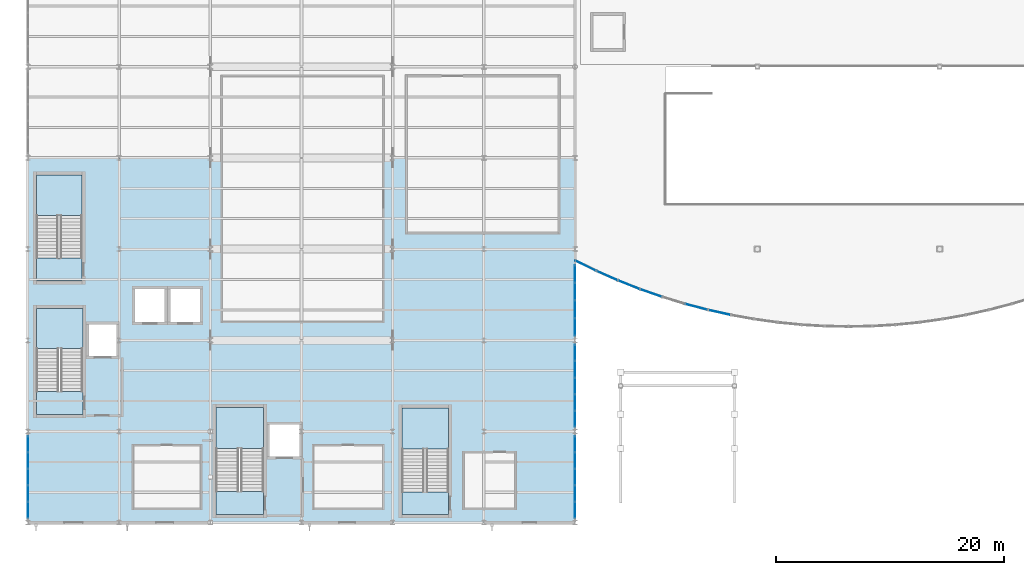
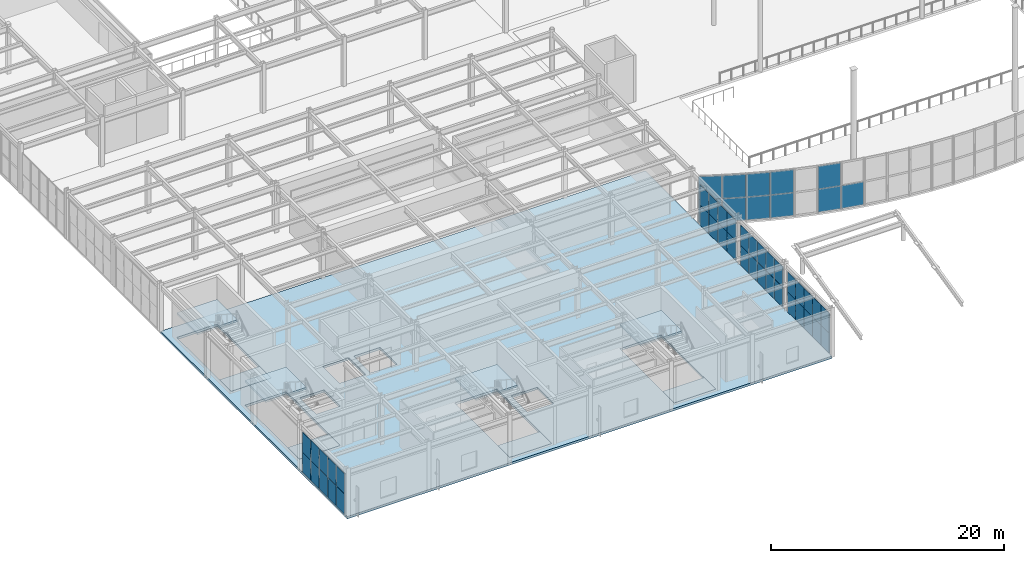
# One storey, part 46 of 77: 49 plates, 9 slabs, 14 elements without a shape of their own.
"""IFC4 building model written with IfcOpenShell, lengths in metres."""

import ifcopenshell
import ifcopenshell.guid

model = None  # the IFC model being written
_history = None  # IfcOwnerHistory: only IFC2X3 demands one
_inside = {}  # id of a spatial element -> (the spatial element, [elements in it])
_under = {}  # id of a project, library or spatial element -> (it, [spatial elements below it])
_declared = {}  # id of a project -> (the project, [libraries it declares])
_typed = {}  # id of a type object -> (the type object, [elements of that type])
_made_of = {}  # id of a material, layer set ... -> (it, [elements and type objects made of it])


def new_model(schema):
    """Start an empty IFC model of exactly this schema.

    Asked for "IFC4X3", IfcOpenShell would pick the latest addendum, in which some entities
    have other attributes; the version numbers below select the first issue.
    IFC2X3 requires an IfcOwnerHistory on every rooted entity: one is made here for all.
    """
    global model, _history
    if schema == "IFC4X3":
        model = ifcopenshell.file(schema_version=(4, 3, 0, 0))
    else:
        model = ifcopenshell.file(schema=schema)
    _inside.clear()
    _under.clear()
    _declared.clear()
    _typed.clear()
    _made_of.clear()
    _history = None
    if model.schema == "IFC2X3":
        org = make("IfcOrganization", Name="unknown")
        user = make(
            "IfcPersonAndOrganization",
            ThePerson=make("IfcPerson", FamilyName="unknown"),
            TheOrganization=org,
        )
        app = make(
            "IfcApplication",
            ApplicationDeveloper=org,
            Version="unknown",
            ApplicationFullName="unknown",
            ApplicationIdentifier="unknown",
        )
        _history = make(
            "IfcOwnerHistory",
            OwningUser=user,
            OwningApplication=app,
            ChangeAction="ADDED",
            CreationDate=0,
        )
    return model


def make(cls, **values):
    """One entity of the class cls with the attributes given. An attribute that is None is left unset."""
    return model.create_entity(
        cls, **{name: value for name, value in values.items() if value is not None}
    )


def rooted(cls, **values):
    """An entity with a GlobalId (a new one), such as an element, a storey or a relation."""
    return make(cls, GlobalId=ifcopenshell.guid.new(), OwnerHistory=_history, **values)


def si_unit(unit_type, name, prefix=None):
    """IfcSIUnit, for example si_unit("LENGTHUNIT", "METRE", prefix="MILLI")."""
    return make("IfcSIUnit", UnitType=unit_type, Prefix=prefix, Name=name)


def assignment(units):
    """IfcUnitAssignment: the units of a project."""
    return None if units is None else make("IfcUnitAssignment", Units=units)


def point(xyz):
    """IfcCartesianPoint."""
    return None if xyz is None else make("IfcCartesianPoint", Coordinates=xyz)


def direction(xyz):
    """IfcDirection."""
    return None if xyz is None else make("IfcDirection", DirectionRatios=xyz)


def frame(location, z_axis=None, x_axis=None):
    """IfcAxis2Placement3D, a coordinate frame: its origin and axes. An axis left out is left unset."""
    return make(
        "IfcAxis2Placement3D",
        Location=point(location),
        Axis=direction(z_axis),
        RefDirection=direction(x_axis),
    )


def frame_2d(location, x_axis=None):
    """IfcAxis2Placement2D, a coordinate frame in the plane: its origin and x axis."""
    return make(
        "IfcAxis2Placement2D", Location=point(location), RefDirection=direction(x_axis)
    )


def origin():
    """The frame at (0, 0, 0) with its axes left unset."""
    return frame((0.0, 0.0, 0.0))


def origin_2d():
    """The frame at (0, 0) in the plane with its x axis left unset."""
    return frame_2d((0.0, 0.0))


def place(relative_to, where):
    """IfcLocalPlacement: puts the frame where relative to a parent placement (None: the world)."""
    return make(
        "IfcLocalPlacement", PlacementRelTo=relative_to, RelativePlacement=where
    )


def context(
    kind, dimensions, precision=None, world=None, true_north=None, identifier=None
):
    """IfcGeometricRepresentationContext, for example the 3D "Model" context."""
    return make(
        "IfcGeometricRepresentationContext",
        ContextIdentifier=identifier,
        ContextType=kind,
        CoordinateSpaceDimension=dimensions,
        Precision=precision,
        WorldCoordinateSystem=world,
        TrueNorth=true_north,
    )


def subcontext(parent, identifier, kind, view, scale=None):
    """IfcGeometricRepresentationSubContext, for example "Body" below "Model"."""
    return make(
        "IfcGeometricRepresentationSubContext",
        ContextIdentifier=identifier,
        ContextType=kind,
        ParentContext=parent,
        TargetScale=scale,
        TargetView=view,
    )


def project(units=None, contexts=None):
    """IfcProject with its units and contexts."""
    return rooted(
        "IfcProject",
        Name="project",
        RepresentationContexts=contexts,
        UnitsInContext=assignment(units),
    )


def spatial(cls, under=None, at=None, **own):
    """A site, building, storey or space (cls), placed at a placement, below another one or the project."""
    s = rooted(cls, ObjectPlacement=at, **own)
    if under is not None:
        _under.setdefault(under.id(), (under, []))[1].append(s)
    return s


def polyline(points):
    """IfcPolyline through the points."""
    return make("IfcPolyline", Points=[point(p) for p in points])


def profile(cls, at=None, kind="AREA", **sizes):
    """A parametric profile (cls). Its sizes go by their IFC names, for example OverallWidth=200.0."""
    return make(cls, ProfileType=kind, Position=at, **sizes)


def rectangle(**sizes):
    """IfcRectangleProfileDef."""
    return profile("IfcRectangleProfileDef", **sizes)


def outline(outer, holes=None, kind="AREA"):
    """IfcArbitraryClosedProfileDef: a profile drawn as a closed curve; with holes, ...WithVoids."""
    if holes is None:
        return make("IfcArbitraryClosedProfileDef", ProfileType=kind, OuterCurve=outer)
    return make(
        "IfcArbitraryProfileDefWithVoids",
        ProfileType=kind,
        OuterCurve=outer,
        InnerCurves=holes,
    )


def extrude(swept, where, along, depth):
    """IfcExtrudedAreaSolid: the profile swept, set in the frame where, extruded along a direction by depth."""
    return make(
        "IfcExtrudedAreaSolid",
        SweptArea=swept,
        Position=where,
        ExtrudedDirection=direction(along),
        Depth=depth,
    )


def shape(context_of_items, identifier, shape_type, items):
    """IfcShapeRepresentation: the items that make up one representation, for example the "Body"."""
    return make(
        "IfcShapeRepresentation",
        ContextOfItems=context_of_items,
        RepresentationIdentifier=identifier,
        RepresentationType=shape_type,
        Items=items,
    )


def material(Name=None, Category=None):
    """IfcMaterial."""
    return make("IfcMaterial", Name=Name, Category=Category)


def layer(
    of_material, thickness, ventilated=None, Name=None, Category=None, Priority=None
):
    """IfcMaterialLayer: one layer of a wall or slab, of a material (None: an air gap)."""
    return make(
        "IfcMaterialLayer",
        Material=of_material,
        LayerThickness=thickness,
        IsVentilated=ventilated,
        Name=Name,
        Category=Category,
        Priority=Priority,
    )


def layer_set(layers, Name=None):
    """IfcMaterialLayerSet."""
    return make("IfcMaterialLayerSet", MaterialLayers=layers, LayerSetName=Name)


def made_of(thing, what):
    """Note that an element or type object is made of a material, layer set ...; save() writes the relation."""
    if what is not None:
        _made_of.setdefault(what.id(), (what, []))[1].append(thing)
    return thing


def type_object(cls, material=None, **own):
    """A type object (cls), such as IfcWallType, which elements share."""
    return made_of(rooted(cls, **own), material)


def element(
    cls,
    number,
    at=None,
    inside=None,
    cuts=None,
    type_object=None,
    material=None,
    context=None,
    identifier="Body",
    shape_type=None,
    held_by="IfcProductDefinitionShape",
    body=None,
    shapes=None,
    **own,
):
    """One element of the class cls, such as IfcWall. Its Tag is "e" and its number.

    at: its placement. inside: the storey or other place that contains it. cuts: it is an
    opening in that element (IfcRelVoidsElement). A single representation is given by context,
    identifier, shape_type and body (its items); several are given by shapes. held_by: the class
    of the entity that holds the representations. save() writes the other relations.
    """
    e = rooted(cls, Tag="e%d" % number, ObjectPlacement=at, **own)
    if body is not None:
        shapes = [shape(context, identifier, shape_type, body)]
    if shapes is not None:
        e.Representation = make(held_by, Representations=shapes)
    if inside is not None:
        _inside.setdefault(inside.id(), (inside, []))[1].append(e)
    if cuts is not None:
        rooted(
            "IfcRelVoidsElement", RelatingBuildingElement=cuts, RelatedOpeningElement=e
        )
    if type_object is not None:
        _typed.setdefault(type_object.id(), (type_object, []))[1].append(e)
    return made_of(e, material)


def aggregate(whole, parts):
    """IfcRelAggregates: a whole, such as a stair, and the parts it consists of."""
    return rooted("IfcRelAggregates", RelatingObject=whole, RelatedObjects=parts)


def save(model, path):
    """Write the relations noted so far, then the file.

    IfcRelAggregates (storeys below a building ...), IfcRelContainedInSpatialStructure (elements
    in a storey), IfcRelDefinesByType, IfcRelAssociatesMaterial and IfcRelDeclares: one each for
    every whole, place, type object, material and project.
    """
    for whole, parts in _under.values():
        aggregate(whole, parts)
    for where, things in _inside.values():
        rooted(
            "IfcRelContainedInSpatialStructure",
            RelatedElements=things,
            RelatingStructure=where,
        )
    for kind, things in _typed.values():
        rooted("IfcRelDefinesByType", RelatedObjects=things, RelatingType=kind)
    for what, things in _made_of.values():
        rooted("IfcRelAssociatesMaterial", RelatedObjects=things, RelatingMaterial=what)
    for by, libraries in _declared.values():
        rooted("IfcRelDeclares", RelatingContext=by, RelatedDefinitions=libraries)
    model.write(path)


model = new_model("IFC4")

# Units and contexts
model_context = context("Model", 3, precision=1e-05, world=origin(), true_north=direction((0.0, 1.0)))
body_context = subcontext(model_context, "Body", "Model", "MODEL_VIEW")
ifc_project = project(units=[si_unit("LENGTHUNIT", "METRE"), si_unit("AREAUNIT", "SQUARE_METRE"), si_unit("VOLUMEUNIT", "CUBIC_METRE"), si_unit("PLANEANGLEUNIT", "RADIAN"), si_unit("MASSUNIT", "GRAM", prefix="KILO")], contexts=[model_context])

# Site, building, storey
site_placement = place(None, origin())
site = spatial("IfcSite", under=ifc_project, at=site_placement, CompositionType="ELEMENT")
building_placement = place(site_placement, origin())
building = spatial("IfcBuilding", under=site, at=building_placement, Name="Drelvath Fold Interchange", CompositionType="ELEMENT")
storey_placement = place(building_placement, frame((0.0, 0.0, 6.0)))
storey = spatial("IfcBuildingStorey", under=building, at=storey_placement, Name="L01", CompositionType="ELEMENT", Elevation=6.0)

# Curtain wall, plates
ifc_material_1 = material(Name="Anodized Aluminium 6063-T6", Category="aluminium")
curtain_wall_type_1 = type_object("IfcCurtainWallType", Name="CW-ARC-L01", PredefinedType="USERDEFINED", material=ifc_material_1)
curtain_wall_1_placement = place(storey_placement, origin())
curtain_wall_1 = element("IfcCurtainWall", 1, at=curtain_wall_1_placement, inside=storey, type_object=curtain_wall_type_1, Name="Curtain wall CW-WH-L01-00", ObjectType="UNITISED CURTAIN WALL", PredefinedType="USERDEFINED")
ifc_material_2 = material(Name="Low-Iron Insulated Laminated Glass", Category="glass")
ifc_layer_1 = layer(ifc_material_2, 0.035888671875, Name="Low-Iron Insulated Laminated Glass")
ifc_layer_set_1 = layer_set([ifc_layer_1], Name="Low-Iron Insulated Laminated Glass")
plate_type_1 = type_object("IfcPlateType", Name="CP-ARC-A", PredefinedType="CURTAIN_PANEL", material=ifc_layer_set_1)
plate_1_placement = place(storey_placement, frame((52.93310546875, 25.5439453125, 0.0400390625), z_axis=(0.0, 0.0, 1.0), x_axis=(0.898242463355, -0.439500258277, 0.0)))
plate_1 = element("IfcPlate", 2, at=plate_1_placement, type_object=plate_type_1, Name="CW-WH-L01-00 glazed panel 0-0", PredefinedType="CURTAIN_PANEL", context=body_context, shape_type="SweptSolid", body=[
    extrude(rectangle(XDim=1.97705078125, YDim=0.035888671875, at=origin_2d()), origin(), (0.0, 0.0, 1.0), 2.39990234375),
])
plate_2_placement = place(storey_placement, frame((52.93310546875, 25.5439453125, 2.4599609375), z_axis=(0.0, 0.0, 1.0), x_axis=(0.898242463355, -0.439500258277, 0.0)))
plate_2 = element("IfcPlate", 3, at=plate_2_placement, type_object=plate_type_1, Name="CW-WH-L01-00 glazed panel 0-1", PredefinedType="CURTAIN_PANEL", context=body_context, shape_type="SweptSolid", body=[
    extrude(rectangle(XDim=1.97705078125, YDim=0.035888671875, at=origin_2d()), origin(), (0.0, 0.0, 1.0), 2.39990234375),
])
aggregate(curtain_wall_1, [plate_1, plate_2])

curtain_wall_2_placement = place(storey_placement, origin())
curtain_wall_2 = element("IfcCurtainWall", 4, at=curtain_wall_2_placement, inside=storey, type_object=curtain_wall_type_1, Name="Curtain wall CW-WH-L01-01", ObjectType="UNITISED CURTAIN WALL", PredefinedType="USERDEFINED")
plate_3_placement = place(storey_placement, frame((54.81591796875, 24.66796875, 0.0400390625), z_axis=(0.0, 0.0, 1.0), x_axis=(0.91495966785, -0.403545296352, 0.0)))
plate_3 = element("IfcPlate", 5, at=plate_3_placement, type_object=plate_type_1, Name="CW-WH-L01-01 glazed panel 0-0", PredefinedType="CURTAIN_PANEL", context=body_context, shape_type="SweptSolid", body=[
    extrude(rectangle(XDim=1.97705078125, YDim=0.035888671875, at=origin_2d()), origin(), (0.0, 0.0, 1.0), 2.39990234375),
])
plate_4_placement = place(storey_placement, frame((54.81591796875, 24.66796875, 2.4599609375), z_axis=(0.0, 0.0, 1.0), x_axis=(0.91495966785, -0.403545296352, 0.0)))
plate_4 = element("IfcPlate", 6, at=plate_4_placement, type_object=plate_type_1, Name="CW-WH-L01-01 glazed panel 0-1", PredefinedType="CURTAIN_PANEL", context=body_context, shape_type="SweptSolid", body=[
    extrude(rectangle(XDim=1.97705078125, YDim=0.035888671875, at=origin_2d()), origin(), (0.0, 0.0, 1.0), 2.39990234375),
])
aggregate(curtain_wall_2, [plate_3, plate_4])

curtain_wall_3_placement = place(storey_placement, origin())
curtain_wall_3 = element("IfcCurtainWall", 7, at=curtain_wall_3_placement, inside=storey, type_object=curtain_wall_type_1, Name="Curtain wall CW-WH-L01-02", ObjectType="UNITISED CURTAIN WALL", PredefinedType="USERDEFINED")
plate_5_placement = place(storey_placement, frame((56.73193359375, 23.866943359375, 0.0400390625), z_axis=(0.0, 0.0, 1.0), x_axis=(0.93009738109, -0.367313029567, 0.0)))
plate_5 = element("IfcPlate", 8, at=plate_5_placement, type_object=plate_type_1, Name="CW-WH-L01-02 glazed panel 0-0", PredefinedType="CURTAIN_PANEL", context=body_context, shape_type="SweptSolid", body=[
    extrude(rectangle(XDim=1.97705078125, YDim=0.035888671875, at=origin_2d()), origin(), (0.0, 0.0, 1.0), 2.39990234375),
])
plate_6_placement = place(storey_placement, frame((56.73193359375, 23.866943359375, 2.4599609375), z_axis=(0.0, 0.0, 1.0), x_axis=(0.93009738109, -0.367313029567, 0.0)))
plate_6 = element("IfcPlate", 9, at=plate_6_placement, type_object=plate_type_1, Name="CW-WH-L01-02 glazed panel 0-1", PredefinedType="CURTAIN_PANEL", context=body_context, shape_type="SweptSolid", body=[
    extrude(rectangle(XDim=1.97705078125, YDim=0.035888671875, at=origin_2d()), origin(), (0.0, 0.0, 1.0), 2.39990234375),
])
aggregate(curtain_wall_3, [plate_5, plate_6])

curtain_wall_4_placement = place(storey_placement, origin())
curtain_wall_4 = element("IfcCurtainWall", 10, at=curtain_wall_4_placement, inside=storey, type_object=curtain_wall_type_1, Name="Curtain wall CW-WH-L01-03", ObjectType="UNITISED CURTAIN WALL", PredefinedType="USERDEFINED")
plate_7_placement = place(storey_placement, frame((58.677978515625, 23.14306640625, 0.0400390625), z_axis=(0.0, 0.0, 1.0), x_axis=(0.944060245862, -0.329773031317, 0.0)))
plate_7 = element("IfcPlate", 11, at=plate_7_placement, type_object=plate_type_1, Name="CW-WH-L01-03 glazed panel 0-0", PredefinedType="CURTAIN_PANEL", context=body_context, shape_type="SweptSolid", body=[
    extrude(rectangle(XDim=1.97705078125, YDim=0.035888671875, at=origin_2d()), origin(), (0.0, 0.0, 1.0), 2.39990234375),
])
plate_8_placement = place(storey_placement, frame((58.677978515625, 23.14306640625, 2.4599609375), z_axis=(0.0, 0.0, 1.0), x_axis=(0.944060245862, -0.329773031317, 0.0)))
plate_8 = element("IfcPlate", 12, at=plate_8_placement, type_object=plate_type_1, Name="CW-WH-L01-03 glazed panel 0-1", PredefinedType="CURTAIN_PANEL", context=body_context, shape_type="SweptSolid", body=[
    extrude(rectangle(XDim=1.97705078125, YDim=0.035888671875, at=origin_2d()), origin(), (0.0, 0.0, 1.0), 2.39990234375),
])
aggregate(curtain_wall_4, [plate_7, plate_8])

curtain_wall_5_placement = place(storey_placement, origin())
curtain_wall_5 = element("IfcCurtainWall", 13, at=curtain_wall_5_placement, inside=storey, type_object=curtain_wall_type_1, Name="Curtain wall CW-WH-L01-05", ObjectType="UNITISED CURTAIN WALL", PredefinedType="USERDEFINED")
plate_9_placement = place(storey_placement, frame((62.64990234375, 21.928955078125, 0.0400390625), z_axis=(0.0, 0.0, 1.0), x_axis=(0.96703705104, -0.254635704322, 0.0)))
plate_9 = element("IfcPlate", 14, at=plate_9_placement, type_object=plate_type_1, Name="CW-WH-L01-05 glazed panel 0-0", PredefinedType="CURTAIN_PANEL", context=body_context, shape_type="SweptSolid", body=[
    extrude(rectangle(XDim=1.97705078125, YDim=0.035888671875, at=origin_2d()), origin(), (0.0, 0.0, 1.0), 2.39990234375),
])
plate_10_placement = place(storey_placement, frame((62.64990234375, 21.928955078125, 2.4599609375), z_axis=(0.0, 0.0, 1.0), x_axis=(0.96703705104, -0.254635704322, 0.0)))
plate_10 = element("IfcPlate", 15, at=plate_10_placement, type_object=plate_type_1, Name="CW-WH-L01-05 glazed panel 0-1", PredefinedType="CURTAIN_PANEL", context=body_context, shape_type="SweptSolid", body=[
    extrude(rectangle(XDim=1.97705078125, YDim=0.035888671875, at=origin_2d()), origin(), (0.0, 0.0, 1.0), 2.39990234375),
])
aggregate(curtain_wall_5, [plate_9, plate_10])

# Curtain wall, plate
curtain_wall_6_placement = place(storey_placement, origin())
curtain_wall_6 = element("IfcCurtainWall", 16, at=curtain_wall_6_placement, inside=storey, type_object=curtain_wall_type_1, Name="Curtain wall CW-WH-L01-06", ObjectType="UNITISED CURTAIN WALL", PredefinedType="USERDEFINED")
plate_11_placement = place(storey_placement, frame((64.66796875, 21.44091796875, 0.0400390625), z_axis=(0.0, 0.0, 1.0), x_axis=(0.976458168269, -0.215706851122, 0.0)))
plate_11 = element("IfcPlate", 17, at=plate_11_placement, type_object=plate_type_1, Name="CW-WH-L01-06 glazed panel 0-0", PredefinedType="CURTAIN_PANEL", context=body_context, shape_type="SweptSolid", body=[
    extrude(rectangle(XDim=1.97705078125, YDim=0.035888671875, at=origin_2d()), origin(), (0.0, 0.0, 1.0), 2.39990234375),
])
aggregate(curtain_wall_6, [plate_11])

# Curtain wall, plates
curtain_wall_type_2 = type_object("IfcCurtainWallType", Name="CW-OPS-UPP", PredefinedType="USERDEFINED", material=ifc_material_1)
curtain_wall_7_placement = place(storey_placement, origin())
curtain_wall_7 = element("IfcCurtainWall", 18, at=curtain_wall_7_placement, inside=storey, type_object=curtain_wall_type_2, Name="Curtain wall CW-V5-L01-W3", ObjectType="UNITISED CURTAIN WALL", PredefinedType="USERDEFINED")
ifc_layer_2 = layer(ifc_material_2, 0.068115234375, Name="Low-Iron Insulated Laminated Glass")
ifc_layer_set_2 = layer_set([ifc_layer_2], Name="Low-Iron Insulated Laminated Glass")
plate_type_2 = type_object("IfcPlateType", Name="CP-OPS-A", PredefinedType="CURTAIN_PANEL", material=ifc_layer_set_2)
plate_12_placement = place(storey_placement, frame((4.0, 4.10791015625, 0.0400390625), z_axis=(0.0, 0.0, 1.0), x_axis=(0.0, 1.0, 0.0)))
plate_12 = element("IfcPlate", 19, at=plate_12_placement, type_object=plate_type_2, Name="CW-V5-L01-W3 glazed panel 0-0", PredefinedType="CURTAIN_PANEL", context=body_context, shape_type="SweptSolid", body=[
    extrude(rectangle(XDim=1.39599609375, YDim=0.068115234375, at=origin_2d()), origin(), (0.0, 0.0, 1.0), 2.10009765625),
])
plate_13_placement = place(storey_placement, frame((4.0, 4.10791015625, 2.159912109375), z_axis=(0.0, 0.0, 1.0), x_axis=(0.0, 1.0, 0.0)))
plate_13 = element("IfcPlate", 20, at=plate_13_placement, type_object=plate_type_2, Name="CW-V5-L01-W3 glazed panel 0-1", PredefinedType="CURTAIN_PANEL", context=body_context, shape_type="SweptSolid", body=[
    extrude(rectangle(XDim=1.39599609375, YDim=0.068115234375, at=origin_2d()), origin(), (0.0, 0.0, 1.0), 2.10009765625),
])
plate_14_placement = place(storey_placement, frame((4.0, 5.5439453125, 0.0400390625), z_axis=(0.0, 0.0, 1.0), x_axis=(0.0, 1.0, 0.0)))
plate_14 = element("IfcPlate", 21, at=plate_14_placement, type_object=plate_type_2, Name="CW-V5-L01-W3 glazed panel 1-0", PredefinedType="CURTAIN_PANEL", context=body_context, shape_type="SweptSolid", body=[
    extrude(rectangle(XDim=1.43603515625, YDim=0.068115234375, at=origin_2d()), origin(), (0.0, 0.0, 1.0), 2.10009765625),
])
plate_15_placement = place(storey_placement, frame((4.0, 5.5439453125, 2.159912109375), z_axis=(0.0, 0.0, 1.0), x_axis=(0.0, 1.0, 0.0)))
plate_15 = element("IfcPlate", 22, at=plate_15_placement, type_object=plate_type_2, Name="CW-V5-L01-W3 glazed panel 1-1", PredefinedType="CURTAIN_PANEL", context=body_context, shape_type="SweptSolid", body=[
    extrude(rectangle(XDim=1.43603515625, YDim=0.068115234375, at=origin_2d()), origin(), (0.0, 0.0, 1.0), 2.10009765625),
])
plate_16_placement = place(storey_placement, frame((4.0, 7.0, 0.0400390625), z_axis=(0.0, 0.0, 1.0), x_axis=(0.0, 1.0, 0.0)))
plate_16 = element("IfcPlate", 23, at=plate_16_placement, type_object=plate_type_2, Name="CW-V5-L01-W3 glazed panel 2-0", PredefinedType="CURTAIN_PANEL", context=body_context, shape_type="SweptSolid", body=[
    extrude(rectangle(XDim=1.43603515625, YDim=0.068115234375, at=origin_2d()), origin(), (0.0, 0.0, 1.0), 2.10009765625),
])
plate_17_placement = place(storey_placement, frame((4.0, 7.0, 2.159912109375), z_axis=(0.0, 0.0, 1.0), x_axis=(0.0, 1.0, 0.0)))
plate_17 = element("IfcPlate", 24, at=plate_17_placement, type_object=plate_type_2, Name="CW-V5-L01-W3 glazed panel 2-1", PredefinedType="CURTAIN_PANEL", context=body_context, shape_type="SweptSolid", body=[
    extrude(rectangle(XDim=1.43603515625, YDim=0.068115234375, at=origin_2d()), origin(), (0.0, 0.0, 1.0), 2.10009765625),
])
plate_18_placement = place(storey_placement, frame((4.0, 8.4560546875, 0.0400390625), z_axis=(0.0, 0.0, 1.0), x_axis=(0.0, 1.0, 0.0)))
plate_18 = element("IfcPlate", 25, at=plate_18_placement, type_object=plate_type_2, Name="CW-V5-L01-W3 glazed panel 3-0", PredefinedType="CURTAIN_PANEL", context=body_context, shape_type="SweptSolid", body=[
    extrude(rectangle(XDim=1.43603515625, YDim=0.068115234375, at=origin_2d()), origin(), (0.0, 0.0, 1.0), 2.10009765625),
])
plate_19_placement = place(storey_placement, frame((4.0, 8.4560546875, 2.159912109375), z_axis=(0.0, 0.0, 1.0), x_axis=(0.0, 1.0, 0.0)))
plate_19 = element("IfcPlate", 26, at=plate_19_placement, type_object=plate_type_2, Name="CW-V5-L01-W3 glazed panel 3-1", PredefinedType="CURTAIN_PANEL", context=body_context, shape_type="SweptSolid", body=[
    extrude(rectangle(XDim=1.43603515625, YDim=0.068115234375, at=origin_2d()), origin(), (0.0, 0.0, 1.0), 2.10009765625),
])
plate_20_placement = place(storey_placement, frame((4.0, 9.89208984375, 0.0400390625), z_axis=(0.0, 0.0, 1.0), x_axis=(0.0, 1.0, 0.0)))
plate_20 = element("IfcPlate", 27, at=plate_20_placement, type_object=plate_type_2, Name="CW-V5-L01-W3 glazed panel 4-0", PredefinedType="CURTAIN_PANEL", context=body_context, shape_type="SweptSolid", body=[
    extrude(rectangle(XDim=1.39599609375, YDim=0.068115234375, at=origin_2d()), origin(), (0.0, 0.0, 1.0), 2.10009765625),
])
plate_21_placement = place(storey_placement, frame((4.0, 9.89208984375, 2.159912109375), z_axis=(0.0, 0.0, 1.0), x_axis=(0.0, 1.0, 0.0)))
plate_21 = element("IfcPlate", 28, at=plate_21_placement, type_object=plate_type_2, Name="CW-V5-L01-W3 glazed panel 4-1", PredefinedType="CURTAIN_PANEL", context=body_context, shape_type="SweptSolid", body=[
    extrude(rectangle(XDim=1.39599609375, YDim=0.068115234375, at=origin_2d()), origin(), (0.0, 0.0, 1.0), 2.10009765625),
])
aggregate(curtain_wall_7, [plate_12, plate_13, plate_14, plate_15, plate_16, plate_17, plate_18, plate_19, plate_20, plate_21])

curtain_wall_8_placement = place(storey_placement, origin())
curtain_wall_8 = element("IfcCurtainWall", 29, at=curtain_wall_8_placement, inside=storey, type_object=curtain_wall_type_2, Name="Curtain wall CW-V5-L01-E3", ObjectType="UNITISED CURTAIN WALL", PredefinedType="USERDEFINED")
plate_22_placement = place(storey_placement, frame((52.0, 4.10791015625, 0.0400390625), z_axis=(0.0, 0.0, 1.0), x_axis=(0.0, 1.0, 0.0)))
plate_22 = element("IfcPlate", 30, at=plate_22_placement, type_object=plate_type_2, Name="CW-V5-L01-E3 glazed panel 0-0", PredefinedType="CURTAIN_PANEL", context=body_context, shape_type="SweptSolid", body=[
    extrude(rectangle(XDim=1.39599609375, YDim=0.068115234375, at=origin_2d()), origin(), (0.0, 0.0, 1.0), 2.10009765625),
])
plate_23_placement = place(storey_placement, frame((52.0, 4.10791015625, 2.159912109375), z_axis=(0.0, 0.0, 1.0), x_axis=(0.0, 1.0, 0.0)))
plate_23 = element("IfcPlate", 31, at=plate_23_placement, type_object=plate_type_2, Name="CW-V5-L01-E3 glazed panel 0-1", PredefinedType="CURTAIN_PANEL", context=body_context, shape_type="SweptSolid", body=[
    extrude(rectangle(XDim=1.39599609375, YDim=0.068115234375, at=origin_2d()), origin(), (0.0, 0.0, 1.0), 2.10009765625),
])
plate_24_placement = place(storey_placement, frame((52.0, 5.5439453125, 0.0400390625), z_axis=(0.0, 0.0, 1.0), x_axis=(0.0, 1.0, 0.0)))
plate_24 = element("IfcPlate", 32, at=plate_24_placement, type_object=plate_type_2, Name="CW-V5-L01-E3 glazed panel 1-0", PredefinedType="CURTAIN_PANEL", context=body_context, shape_type="SweptSolid", body=[
    extrude(rectangle(XDim=1.43603515625, YDim=0.068115234375, at=origin_2d()), origin(), (0.0, 0.0, 1.0), 2.10009765625),
])
plate_25_placement = place(storey_placement, frame((52.0, 5.5439453125, 2.159912109375), z_axis=(0.0, 0.0, 1.0), x_axis=(0.0, 1.0, 0.0)))
plate_25 = element("IfcPlate", 33, at=plate_25_placement, type_object=plate_type_2, Name="CW-V5-L01-E3 glazed panel 1-1", PredefinedType="CURTAIN_PANEL", context=body_context, shape_type="SweptSolid", body=[
    extrude(rectangle(XDim=1.43603515625, YDim=0.068115234375, at=origin_2d()), origin(), (0.0, 0.0, 1.0), 2.10009765625),
])
plate_26_placement = place(storey_placement, frame((52.0, 7.0, 0.0400390625), z_axis=(0.0, 0.0, 1.0), x_axis=(0.0, 1.0, 0.0)))
plate_26 = element("IfcPlate", 34, at=plate_26_placement, type_object=plate_type_2, Name="CW-V5-L01-E3 glazed panel 2-0", PredefinedType="CURTAIN_PANEL", context=body_context, shape_type="SweptSolid", body=[
    extrude(rectangle(XDim=1.43603515625, YDim=0.068115234375, at=origin_2d()), origin(), (0.0, 0.0, 1.0), 2.10009765625),
])
plate_27_placement = place(storey_placement, frame((52.0, 7.0, 2.159912109375), z_axis=(0.0, 0.0, 1.0), x_axis=(0.0, 1.0, 0.0)))
plate_27 = element("IfcPlate", 35, at=plate_27_placement, type_object=plate_type_2, Name="CW-V5-L01-E3 glazed panel 2-1", PredefinedType="CURTAIN_PANEL", context=body_context, shape_type="SweptSolid", body=[
    extrude(rectangle(XDim=1.43603515625, YDim=0.068115234375, at=origin_2d()), origin(), (0.0, 0.0, 1.0), 2.10009765625),
])
plate_28_placement = place(storey_placement, frame((52.0, 8.4560546875, 0.0400390625), z_axis=(0.0, 0.0, 1.0), x_axis=(0.0, 1.0, 0.0)))
plate_28 = element("IfcPlate", 36, at=plate_28_placement, type_object=plate_type_2, Name="CW-V5-L01-E3 glazed panel 3-0", PredefinedType="CURTAIN_PANEL", context=body_context, shape_type="SweptSolid", body=[
    extrude(rectangle(XDim=1.43603515625, YDim=0.068115234375, at=origin_2d()), origin(), (0.0, 0.0, 1.0), 2.10009765625),
])
plate_29_placement = place(storey_placement, frame((52.0, 8.4560546875, 2.159912109375), z_axis=(0.0, 0.0, 1.0), x_axis=(0.0, 1.0, 0.0)))
plate_29 = element("IfcPlate", 37, at=plate_29_placement, type_object=plate_type_2, Name="CW-V5-L01-E3 glazed panel 3-1", PredefinedType="CURTAIN_PANEL", context=body_context, shape_type="SweptSolid", body=[
    extrude(rectangle(XDim=1.43603515625, YDim=0.068115234375, at=origin_2d()), origin(), (0.0, 0.0, 1.0), 2.10009765625),
])
plate_30_placement = place(storey_placement, frame((52.0, 9.89208984375, 0.0400390625), z_axis=(0.0, 0.0, 1.0), x_axis=(0.0, 1.0, 0.0)))
plate_30 = element("IfcPlate", 38, at=plate_30_placement, type_object=plate_type_2, Name="CW-V5-L01-E3 glazed panel 4-0", PredefinedType="CURTAIN_PANEL", context=body_context, shape_type="SweptSolid", body=[
    extrude(rectangle(XDim=1.39599609375, YDim=0.068115234375, at=origin_2d()), origin(), (0.0, 0.0, 1.0), 2.10009765625),
])
plate_31_placement = place(storey_placement, frame((52.0, 9.89208984375, 2.159912109375), z_axis=(0.0, 0.0, 1.0), x_axis=(0.0, 1.0, 0.0)))
plate_31 = element("IfcPlate", 39, at=plate_31_placement, type_object=plate_type_2, Name="CW-V5-L01-E3 glazed panel 4-1", PredefinedType="CURTAIN_PANEL", context=body_context, shape_type="SweptSolid", body=[
    extrude(rectangle(XDim=1.39599609375, YDim=0.068115234375, at=origin_2d()), origin(), (0.0, 0.0, 1.0), 2.10009765625),
])
aggregate(curtain_wall_8, [plate_22, plate_23, plate_24, plate_25, plate_26, plate_27, plate_28, plate_29, plate_30, plate_31])

curtain_wall_9_placement = place(storey_placement, origin())
curtain_wall_9 = element("IfcCurtainWall", 40, at=curtain_wall_9_placement, inside=storey, type_object=curtain_wall_type_2, Name="Curtain wall CW-V5-L01-E11", ObjectType="UNITISED CURTAIN WALL", PredefinedType="USERDEFINED")
plate_32_placement = place(storey_placement, frame((52.0, 12.10791015625, 0.0400390625), z_axis=(0.0, 0.0, 1.0), x_axis=(0.0, 1.0, 0.0)))
plate_32 = element("IfcPlate", 41, at=plate_32_placement, type_object=plate_type_2, Name="CW-V5-L01-E11 glazed panel 0-0", PredefinedType="CURTAIN_PANEL", context=body_context, shape_type="SweptSolid", body=[
    extrude(rectangle(XDim=1.39599609375, YDim=0.068115234375, at=origin_2d()), origin(), (0.0, 0.0, 1.0), 2.10009765625),
])
plate_33_placement = place(storey_placement, frame((52.0, 12.10791015625, 2.159912109375), z_axis=(0.0, 0.0, 1.0), x_axis=(0.0, 1.0, 0.0)))
plate_33 = element("IfcPlate", 42, at=plate_33_placement, type_object=plate_type_2, Name="CW-V5-L01-E11 glazed panel 0-1", PredefinedType="CURTAIN_PANEL", context=body_context, shape_type="SweptSolid", body=[
    extrude(rectangle(XDim=1.39599609375, YDim=0.068115234375, at=origin_2d()), origin(), (0.0, 0.0, 1.0), 2.10009765625),
])
plate_34_placement = place(storey_placement, frame((52.0, 13.5439453125, 0.0400390625), z_axis=(0.0, 0.0, 1.0), x_axis=(0.0, 1.0, 0.0)))
plate_34 = element("IfcPlate", 43, at=plate_34_placement, type_object=plate_type_2, Name="CW-V5-L01-E11 glazed panel 1-0", PredefinedType="CURTAIN_PANEL", context=body_context, shape_type="SweptSolid", body=[
    extrude(rectangle(XDim=1.43603515625, YDim=0.068115234375, at=origin_2d()), origin(), (0.0, 0.0, 1.0), 2.10009765625),
])
plate_35_placement = place(storey_placement, frame((52.0, 13.5439453125, 2.159912109375), z_axis=(0.0, 0.0, 1.0), x_axis=(0.0, 1.0, 0.0)))
plate_35 = element("IfcPlate", 44, at=plate_35_placement, type_object=plate_type_2, Name="CW-V5-L01-E11 glazed panel 1-1", PredefinedType="CURTAIN_PANEL", context=body_context, shape_type="SweptSolid", body=[
    extrude(rectangle(XDim=1.43603515625, YDim=0.068115234375, at=origin_2d()), origin(), (0.0, 0.0, 1.0), 2.10009765625),
])
plate_36_placement = place(storey_placement, frame((52.0, 15.0, 0.0400390625), z_axis=(0.0, 0.0, 1.0), x_axis=(0.0, 1.0, 0.0)))
plate_36 = element("IfcPlate", 45, at=plate_36_placement, type_object=plate_type_2, Name="CW-V5-L01-E11 glazed panel 2-0", PredefinedType="CURTAIN_PANEL", context=body_context, shape_type="SweptSolid", body=[
    extrude(rectangle(XDim=1.43603515625, YDim=0.068115234375, at=origin_2d()), origin(), (0.0, 0.0, 1.0), 2.10009765625),
])
plate_37_placement = place(storey_placement, frame((52.0, 15.0, 2.159912109375), z_axis=(0.0, 0.0, 1.0), x_axis=(0.0, 1.0, 0.0)))
plate_37 = element("IfcPlate", 46, at=plate_37_placement, type_object=plate_type_2, Name="CW-V5-L01-E11 glazed panel 2-1", PredefinedType="CURTAIN_PANEL", context=body_context, shape_type="SweptSolid", body=[
    extrude(rectangle(XDim=1.43603515625, YDim=0.068115234375, at=origin_2d()), origin(), (0.0, 0.0, 1.0), 2.10009765625),
])
plate_38_placement = place(storey_placement, frame((52.0, 16.4560546875, 0.0400390625), z_axis=(0.0, 0.0, 1.0), x_axis=(0.0, 1.0, 0.0)))
plate_38 = element("IfcPlate", 47, at=plate_38_placement, type_object=plate_type_2, Name="CW-V5-L01-E11 glazed panel 3-0", PredefinedType="CURTAIN_PANEL", context=body_context, shape_type="SweptSolid", body=[
    extrude(rectangle(XDim=1.43603515625, YDim=0.068115234375, at=origin_2d()), origin(), (0.0, 0.0, 1.0), 2.10009765625),
])
plate_39_placement = place(storey_placement, frame((52.0, 16.4560546875, 2.159912109375), z_axis=(0.0, 0.0, 1.0), x_axis=(0.0, 1.0, 0.0)))
plate_39 = element("IfcPlate", 48, at=plate_39_placement, type_object=plate_type_2, Name="CW-V5-L01-E11 glazed panel 3-1", PredefinedType="CURTAIN_PANEL", context=body_context, shape_type="SweptSolid", body=[
    extrude(rectangle(XDim=1.43603515625, YDim=0.068115234375, at=origin_2d()), origin(), (0.0, 0.0, 1.0), 2.10009765625),
])
plate_40_placement = place(storey_placement, frame((52.0, 17.89208984375, 0.0400390625), z_axis=(0.0, 0.0, 1.0), x_axis=(0.0, 1.0, 0.0)))
plate_40 = element("IfcPlate", 49, at=plate_40_placement, type_object=plate_type_2, Name="CW-V5-L01-E11 glazed panel 4-0", PredefinedType="CURTAIN_PANEL", context=body_context, shape_type="SweptSolid", body=[
    extrude(rectangle(XDim=1.39599609375, YDim=0.068115234375, at=origin_2d()), origin(), (0.0, 0.0, 1.0), 2.10009765625),
])
plate_41_placement = place(storey_placement, frame((52.0, 17.89208984375, 2.159912109375), z_axis=(0.0, 0.0, 1.0), x_axis=(0.0, 1.0, 0.0)))
plate_41 = element("IfcPlate", 50, at=plate_41_placement, type_object=plate_type_2, Name="CW-V5-L01-E11 glazed panel 4-1", PredefinedType="CURTAIN_PANEL", context=body_context, shape_type="SweptSolid", body=[
    extrude(rectangle(XDim=1.39599609375, YDim=0.068115234375, at=origin_2d()), origin(), (0.0, 0.0, 1.0), 2.10009765625),
])
aggregate(curtain_wall_9, [plate_32, plate_33, plate_34, plate_35, plate_36, plate_37, plate_38, plate_39, plate_40, plate_41])

curtain_wall_10_placement = place(storey_placement, origin())
curtain_wall_10 = element("IfcCurtainWall", 51, at=curtain_wall_10_placement, inside=storey, type_object=curtain_wall_type_2, Name="Curtain wall CW-V5-L01-E19", ObjectType="UNITISED CURTAIN WALL", PredefinedType="USERDEFINED")
plate_42_placement = place(storey_placement, frame((52.0, 20.1650390625, 0.0400390625), z_axis=(0.0, 0.0, 1.0), x_axis=(0.0, 1.0, 0.0)))
plate_42 = element("IfcPlate", 52, at=plate_42_placement, type_object=plate_type_2, Name="CW-V5-L01-E19 glazed panel 0-0", PredefinedType="CURTAIN_PANEL", context=body_context, shape_type="SweptSolid", body=[
    extrude(rectangle(XDim=1.510009765625, YDim=0.068115234375, at=origin_2d()), origin(), (0.0, 0.0, 1.0), 2.10009765625),
])
plate_43_placement = place(storey_placement, frame((52.0, 20.1650390625, 2.159912109375), z_axis=(0.0, 0.0, 1.0), x_axis=(0.0, 1.0, 0.0)))
plate_43 = element("IfcPlate", 53, at=plate_43_placement, type_object=plate_type_2, Name="CW-V5-L01-E19 glazed panel 0-1", PredefinedType="CURTAIN_PANEL", context=body_context, shape_type="SweptSolid", body=[
    extrude(rectangle(XDim=1.510009765625, YDim=0.068115234375, at=origin_2d()), origin(), (0.0, 0.0, 1.0), 2.10009765625),
])
plate_44_placement = place(storey_placement, frame((52.0, 21.715087890625, 0.0400390625), z_axis=(0.0, 0.0, 1.0), x_axis=(0.0, 1.0, 0.0)))
plate_44 = element("IfcPlate", 54, at=plate_44_placement, type_object=plate_type_2, Name="CW-V5-L01-E19 glazed panel 1-0", PredefinedType="CURTAIN_PANEL", context=body_context, shape_type="SweptSolid", body=[
    extrude(rectangle(XDim=1.550048828125, YDim=0.068115234375, at=origin_2d()), origin(), (0.0, 0.0, 1.0), 2.10009765625),
])
plate_45_placement = place(storey_placement, frame((52.0, 21.715087890625, 2.159912109375), z_axis=(0.0, 0.0, 1.0), x_axis=(0.0, 1.0, 0.0)))
plate_45 = element("IfcPlate", 55, at=plate_45_placement, type_object=plate_type_2, Name="CW-V5-L01-E19 glazed panel 1-1", PredefinedType="CURTAIN_PANEL", context=body_context, shape_type="SweptSolid", body=[
    extrude(rectangle(XDim=1.550048828125, YDim=0.068115234375, at=origin_2d()), origin(), (0.0, 0.0, 1.0), 2.10009765625),
])
plate_46_placement = place(storey_placement, frame((52.0, 23.284912109375, 0.0400390625), z_axis=(0.0, 0.0, 1.0), x_axis=(0.0, 1.0, 0.0)))
plate_46 = element("IfcPlate", 56, at=plate_46_placement, type_object=plate_type_2, Name="CW-V5-L01-E19 glazed panel 2-0", PredefinedType="CURTAIN_PANEL", context=body_context, shape_type="SweptSolid", body=[
    extrude(rectangle(XDim=1.550048828125, YDim=0.068115234375, at=origin_2d()), origin(), (0.0, 0.0, 1.0), 2.10009765625),
])
plate_47_placement = place(storey_placement, frame((52.0, 23.284912109375, 2.159912109375), z_axis=(0.0, 0.0, 1.0), x_axis=(0.0, 1.0, 0.0)))
plate_47 = element("IfcPlate", 57, at=plate_47_placement, type_object=plate_type_2, Name="CW-V5-L01-E19 glazed panel 2-1", PredefinedType="CURTAIN_PANEL", context=body_context, shape_type="SweptSolid", body=[
    extrude(rectangle(XDim=1.550048828125, YDim=0.068115234375, at=origin_2d()), origin(), (0.0, 0.0, 1.0), 2.10009765625),
])
plate_48_placement = place(storey_placement, frame((52.0, 24.8349609375, 0.0400390625), z_axis=(0.0, 0.0, 1.0), x_axis=(0.0, 1.0, 0.0)))
plate_48 = element("IfcPlate", 58, at=plate_48_placement, type_object=plate_type_2, Name="CW-V5-L01-E19 glazed panel 3-0", PredefinedType="CURTAIN_PANEL", context=body_context, shape_type="SweptSolid", body=[
    extrude(rectangle(XDim=1.510009765625, YDim=0.068115234375, at=origin_2d()), origin(), (0.0, 0.0, 1.0), 2.10009765625),
])
plate_49_placement = place(storey_placement, frame((52.0, 24.8349609375, 2.159912109375), z_axis=(0.0, 0.0, 1.0), x_axis=(0.0, 1.0, 0.0)))
plate_49 = element("IfcPlate", 59, at=plate_49_placement, type_object=plate_type_2, Name="CW-V5-L01-E19 glazed panel 3-1", PredefinedType="CURTAIN_PANEL", context=body_context, shape_type="SweptSolid", body=[
    extrude(rectangle(XDim=1.510009765625, YDim=0.068115234375, at=origin_2d()), origin(), (0.0, 0.0, 1.0), 2.10009765625),
])
aggregate(curtain_wall_10, [plate_42, plate_43, plate_44, plate_45, plate_46, plate_47, plate_48, plate_49])

# Slabs
ifc_material_3 = material(Name="Concrete f'c 35 MPa (5000 psi)", Category="concrete")
ifc_layer_3 = layer(ifc_material_3, 0.239990234375, Name="Concrete f'c 35 MPa (5000 psi)")
ifc_layer_set_3 = layer_set([ifc_layer_3], Name="Concrete f'c 35 MPa (5000 psi)")
slab_type_1 = type_object("IfcSlabType", Name="FS-UP1", PredefinedType="FLOOR", material=ifc_layer_set_3)
slab_1_placement = place(storey_placement, frame((0.0, 0.0, -0.239990234375)))
element("IfcSlab", 60, at=slab_1_placement, inside=storey, type_object=slab_type_1, Name="L01 structural slab SL-L01-V5S", PredefinedType="FLOOR", context=body_context, shape_type="SweptSolid", body=[
    extrude(outline(polyline([(4.0, 3.0), (52.0, 3.0), (52.0, 35.0), (4.0, 35.0), (4.0, 3.0)]), holes=[polyline([(4.75, 12.5), (4.75, 21.800048828125), (8.81005859375, 21.800048828125), (8.81005859375, 12.5), (4.75, 12.5)]), polyline([(4.75, 24.199951171875), (4.75, 33.5), (8.72998046875, 33.5), (8.72998046875, 24.199951171875), (4.75, 24.199951171875)]), polyline([(20.5, 3.699951171875), (20.5, 13.10009765625), (24.659912109375, 13.10009765625), (24.659912109375, 3.699951171875), (20.5, 3.699951171875)]), polyline([(36.800048828125, 3.699951171875), (36.800048828125, 13.050048828125), (40.89990234375, 13.050048828125), (40.89990234375, 3.699951171875), (36.800048828125, 3.699951171875)]), polyline([(9.360107421875, 17.60009765625), (9.360107421875, 20.39990234375), (11.760009765625, 20.39990234375), (11.760009765625, 17.60009765625), (9.360107421875, 17.60009765625)]), polyline([(25.2099609375, 8.800048828125), (25.2099609375, 11.60009765625), (27.81005859375, 11.60009765625), (27.81005859375, 8.800048828125), (25.2099609375, 8.800048828125)]), polyline([(13.39990234375, 20.60009765625), (13.39990234375, 23.5), (16.0, 23.5), (16.0, 20.60009765625), (13.39990234375, 20.60009765625)]), polyline([(16.5, 20.60009765625), (16.5, 23.5), (19.10009765625, 23.5), (19.10009765625, 20.60009765625), (16.5, 20.60009765625)])]), origin(), (0.0, 0.0, 1.0), 0.239990234375),
])
slab_2_placement = place(storey_placement, frame((0.0, 0.0, -0.239990234375)))
element("IfcSlab", 61, at=slab_2_placement, inside=storey, type_object=slab_type_1, Name="ST-01 L01 stair floor landing slab", PredefinedType="FLOOR", context=body_context, shape_type="SweptSolid", body=[
    extrude(outline(polyline([(4.75, 12.5), (8.81005859375, 12.5), (8.81005859375, 14.5), (4.75, 14.5), (4.75, 12.5)])), origin(), (0.0, 0.0, 1.0), 0.239990234375),
])
slab_3_placement = place(storey_placement, frame((0.0, 0.0, -0.239990234375)))
element("IfcSlab", 62, at=slab_3_placement, inside=storey, type_object=slab_type_1, Name="ST-02 L01 stair floor landing slab", PredefinedType="FLOOR", context=body_context, shape_type="SweptSolid", body=[
    extrude(outline(polyline([(4.75, 24.199951171875), (8.72998046875, 24.199951171875), (8.72998046875, 26.199951171875), (4.75, 26.199951171875), (4.75, 24.199951171875)])), origin(), (0.0, 0.0, 1.0), 0.239990234375),
])
slab_4_placement = place(storey_placement, frame((0.0, 0.0, -0.239990234375)))
element("IfcSlab", 63, at=slab_4_placement, inside=storey, type_object=slab_type_1, Name="ST-03 L01 stair floor landing slab", PredefinedType="FLOOR", context=body_context, shape_type="SweptSolid", body=[
    extrude(outline(polyline([(20.5, 3.699951171875), (24.659912109375, 3.699951171875), (24.659912109375, 5.75), (20.5, 5.75), (20.5, 3.699951171875)])), origin(), (0.0, 0.0, 1.0), 0.239990234375),
])
slab_5_placement = place(storey_placement, frame((0.0, 0.0, -0.239990234375)))
element("IfcSlab", 64, at=slab_5_placement, inside=storey, type_object=slab_type_1, Name="ST-04 L01 stair floor landing slab", PredefinedType="FLOOR", context=body_context, shape_type="SweptSolid", body=[
    extrude(outline(polyline([(36.800048828125, 3.699951171875), (40.89990234375, 3.699951171875), (40.89990234375, 5.699951171875), (36.800048828125, 5.699951171875), (36.800048828125, 3.699951171875)])), origin(), (0.0, 0.0, 1.0), 0.239990234375),
])

# Stair, slab
stair_type_1 = type_object("IfcStairType", Name="STR-01", PredefinedType="HALF_TURN_STAIR", material=ifc_material_3)
stair_1_placement = place(storey_placement, origin())
stair_1 = element("IfcStair", 65, at=stair_1_placement, inside=storey, type_object=stair_type_1, Name="L01 Protected Exit Stair ST-01", PredefinedType="HALF_TURN_STAIR")
ifc_layer_4 = layer(ifc_material_3, 0.199951171875, Name="Concrete f'c 35 MPa (5000 psi)")
ifc_layer_set_4 = layer_set([ifc_layer_4], Name="Concrete f'c 35 MPa (5000 psi)")
slab_type_2 = type_object("IfcSlabType", Name="SL-LND200", PredefinedType="LANDING", material=ifc_layer_set_4)
slab_6_placement = place(storey_placement, frame((0.0, 0.0, 2.39990234375)))
slab_6 = element("IfcSlab", 66, at=slab_6_placement, type_object=slab_type_2, Name="ST-01 landing 1", PredefinedType="LANDING", context=body_context, shape_type="SweptSolid", body=[
    extrude(outline(polyline([(8.81005859375, 18.27001953125), (8.81005859375, 21.800048828125), (4.75, 21.800048828125), (4.75, 18.27001953125), (8.81005859375, 18.27001953125)])), origin(), (0.0, 0.0, 1.0), 0.2001953125),
])
aggregate(stair_1, [slab_6])

stair_type_2 = type_object("IfcStairType", Name="STR-02", PredefinedType="HALF_TURN_STAIR", material=ifc_material_3)
stair_2_placement = place(storey_placement, origin())
stair_2 = element("IfcStair", 67, at=stair_2_placement, inside=storey, type_object=stair_type_2, Name="L01 Protected Exit Stair ST-02", PredefinedType="HALF_TURN_STAIR")
slab_7_placement = place(storey_placement, frame((0.0, 0.0, 2.39990234375)))
slab_7 = element("IfcSlab", 68, at=slab_7_placement, type_object=slab_type_2, Name="ST-02 landing 1", PredefinedType="LANDING", context=body_context, shape_type="SweptSolid", body=[
    extrude(outline(polyline([(8.72998046875, 29.969970703125), (8.72998046875, 33.5), (4.75, 33.5), (4.75, 29.969970703125), (8.72998046875, 29.969970703125)])), origin(), (0.0, 0.0, 1.0), 0.2001953125),
])
aggregate(stair_2, [slab_7])

stair_type_3 = type_object("IfcStairType", Name="STR-03", PredefinedType="HALF_TURN_STAIR", material=ifc_material_3)
stair_3_placement = place(storey_placement, origin())
stair_3 = element("IfcStair", 69, at=stair_3_placement, inside=storey, type_object=stair_type_3, Name="L01 Protected Exit Stair ST-03", PredefinedType="HALF_TURN_STAIR")
slab_8_placement = place(storey_placement, frame((0.0, 0.0, 2.39990234375)))
slab_8 = element("IfcSlab", 70, at=slab_8_placement, type_object=slab_type_2, Name="ST-03 landing 1", PredefinedType="LANDING", context=body_context, shape_type="SweptSolid", body=[
    extrude(outline(polyline([(24.659912109375, 9.52001953125), (24.659912109375, 13.10009765625), (20.5, 13.10009765625), (20.5, 9.52001953125), (24.659912109375, 9.52001953125)])), origin(), (0.0, 0.0, 1.0), 0.2001953125),
])
aggregate(stair_3, [slab_8])

stair_type_4 = type_object("IfcStairType", Name="STR-04", PredefinedType="HALF_TURN_STAIR", material=ifc_material_3)
stair_4_placement = place(storey_placement, origin())
stair_4 = element("IfcStair", 71, at=stair_4_placement, inside=storey, type_object=stair_type_4, Name="L01 Protected Exit Stair ST-04", PredefinedType="HALF_TURN_STAIR")
slab_9_placement = place(storey_placement, frame((0.0, 0.0, 2.39990234375)))
slab_9 = element("IfcSlab", 72, at=slab_9_placement, type_object=slab_type_2, Name="ST-04 landing 1", PredefinedType="LANDING", context=body_context, shape_type="SweptSolid", body=[
    extrude(outline(polyline([(40.89990234375, 9.469970703125), (40.89990234375, 13.050048828125), (36.800048828125, 13.050048828125), (36.800048828125, 9.469970703125), (40.89990234375, 9.469970703125)])), origin(), (0.0, 0.0, 1.0), 0.2001953125),
])
aggregate(stair_4, [slab_9])

save(model, "model.ifc")
